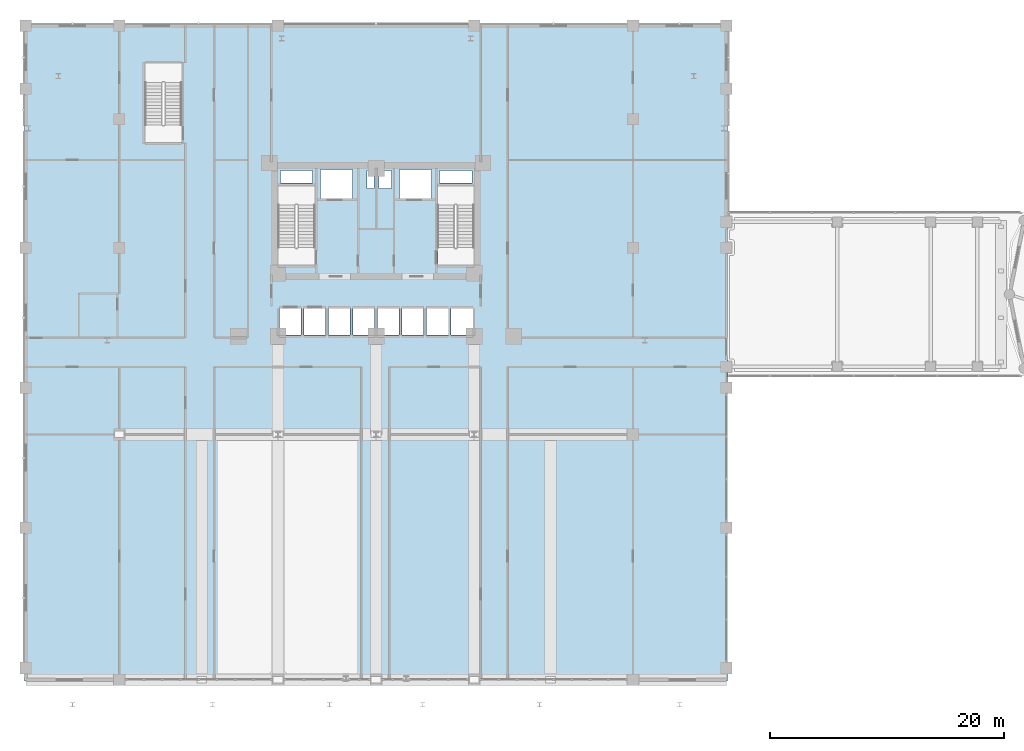
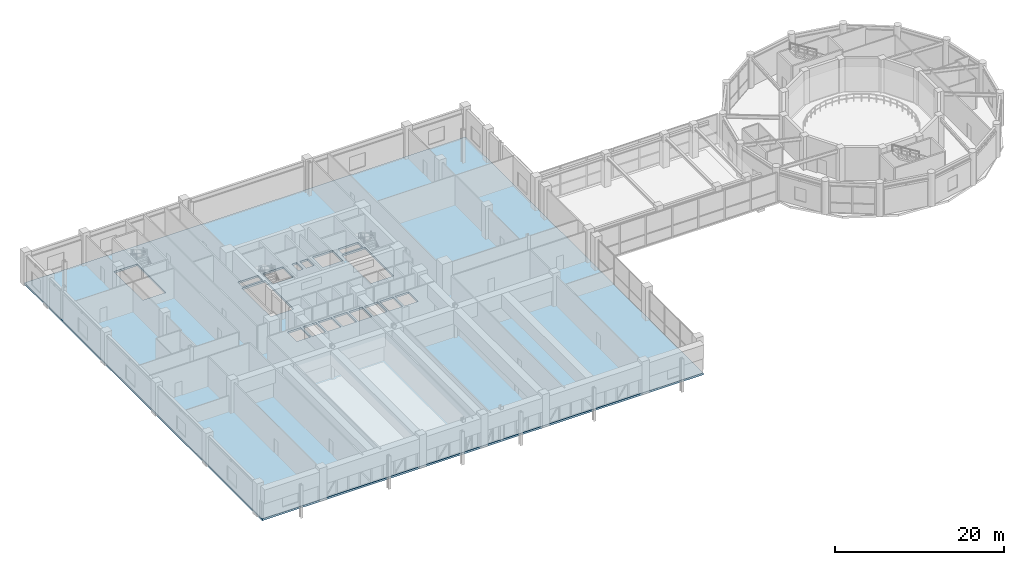
# One storey, part 27 of 44: 1 slab.
"""IFC4 building model written with IfcOpenShell, lengths in metres."""

from ifc_helpers import new_model, si_unit, derived_unit, direction, frame, origin, place, context, subcontext, project, spatial, polyline, outline, extrude, material, layer, layer_set, type_object, element, save


model = new_model("IFC4")

# Units and contexts
model_context = context("Model", 3, precision=1e-05, world=origin(), true_north=direction((0.0, 1.0)))
body_context = subcontext(model_context, "Body", "Model", "MODEL_VIEW")
ifc_project = project(units=[si_unit("LENGTHUNIT", "METRE"), si_unit("AREAUNIT", "SQUARE_METRE"), si_unit("VOLUMEUNIT", "CUBIC_METRE"), si_unit("PLANEANGLEUNIT", "RADIAN"), si_unit("MASSUNIT", "GRAM", prefix="KILO"), derived_unit("THERMALTRANSMITTANCEUNIT", [(si_unit("POWERUNIT", "WATT"), 1), (si_unit("LENGTHUNIT", "METRE"), -2), (si_unit("THERMODYNAMICTEMPERATUREUNIT", "KELVIN"), -1)])], contexts=[model_context])

# Site, building, storey
site_placement = place(None, origin())
site = spatial("IfcSite", under=ifc_project, at=site_placement, CompositionType="ELEMENT")
building_placement = place(site_placement, origin())
building = spatial("IfcBuilding", under=site, at=building_placement, Name="Korsvarv Bourse and Concert Hall", CompositionType="ELEMENT")
storey_placement = place(building_placement, frame((0.0, 0.0, 9.60009765625)))
storey = spatial("IfcBuildingStorey", under=building, at=storey_placement, Name="L02", CompositionType="ELEMENT", Elevation=9.60009765625)

# Slab
ifc_material = material(Name="Concrete C45/55", Category="concrete")
ifc_layer = layer(ifc_material, 0.280029296875)
ifc_layer_set = layer_set([ifc_layer], Name="Concrete C45/55")
slab_type = type_object("IfcSlabType", Name="SLB-PD1", PredefinedType="FLOOR", material=ifc_layer_set)
slab_placement = place(storey_placement, frame((0.0, 0.0, -0.280029296875)))
element("IfcSlab", 1, at=slab_placement, inside=storey, type_object=slab_type, Name="L02 exchange podium floor slab", PredefinedType="FLOOR", context=body_context, shape_type="SweptSolid", body=[
    extrude(outline(polyline([(66.10009765625, 2.89990234375), (66.10009765625, 59.10009765625), (5.89990234375, 59.10009765625), (5.89990234375, 2.89990234375), (66.10009765625, 2.89990234375)]), holes=[polyline([(30.760009765625, 38.5), (30.760009765625, 45.300048828125), (27.60009765625, 45.300048828125), (27.60009765625, 38.5), (30.760009765625, 38.5)]), polyline([(44.39990234375, 38.5), (44.39990234375, 45.300048828125), (41.239990234375, 45.300048828125), (41.239990234375, 38.5), (44.39990234375, 38.5)]), polyline([(19.360107421875, 49.0), (19.360107421875, 55.800048828125), (16.199951171875, 55.800048828125), (16.199951171875, 49.0), (19.360107421875, 49.0)]), polyline([(31.239990234375, 44.219970703125), (34.0, 44.219970703125), (34.0, 46.679931640625), (31.239990234375, 46.679931640625), (31.239990234375, 44.219970703125)]), polyline([(38.0, 44.219970703125), (40.760009765625, 44.219970703125), (40.760009765625, 46.679931640625), (38.0, 46.679931640625), (38.0, 44.219970703125)]), polyline([(27.719970703125, 32.52001953125), (29.580078125, 32.52001953125), (29.580078125, 34.780029296875), (27.719970703125, 34.780029296875), (27.719970703125, 32.52001953125)]), polyline([(29.820068359375, 32.52001953125), (31.679931640625, 32.52001953125), (31.679931640625, 34.780029296875), (29.820068359375, 34.780029296875), (29.820068359375, 32.52001953125)]), polyline([(31.919921875, 32.52001953125), (33.780029296875, 32.52001953125), (33.780029296875, 34.780029296875), (31.919921875, 34.780029296875), (31.919921875, 32.52001953125)]), polyline([(34.02001953125, 32.52001953125), (35.8798828125, 32.52001953125), (35.8798828125, 34.780029296875), (34.02001953125, 34.780029296875), (34.02001953125, 32.52001953125)]), polyline([(36.1201171875, 32.52001953125), (37.97998046875, 32.52001953125), (37.97998046875, 34.780029296875), (36.1201171875, 34.780029296875), (36.1201171875, 32.52001953125)]), polyline([(38.219970703125, 32.52001953125), (40.080078125, 32.52001953125), (40.080078125, 34.780029296875), (38.219970703125, 34.780029296875), (38.219970703125, 32.52001953125)]), polyline([(40.320068359375, 32.52001953125), (42.179931640625, 32.52001953125), (42.179931640625, 34.780029296875), (40.320068359375, 34.780029296875), (40.320068359375, 32.52001953125)]), polyline([(42.419921875, 32.52001953125), (44.280029296875, 32.52001953125), (44.280029296875, 34.780029296875), (42.419921875, 34.780029296875), (42.419921875, 32.52001953125)]), polyline([(27.800048828125, 45.56005859375), (30.56005859375, 45.56005859375), (30.56005859375, 46.6201171875), (27.800048828125, 46.6201171875), (27.800048828125, 45.56005859375)]), polyline([(41.43994140625, 45.56005859375), (44.199951171875, 45.56005859375), (44.199951171875, 46.6201171875), (41.43994140625, 46.6201171875), (41.43994140625, 45.56005859375)]), polyline([(35.199951171875, 45.080078125), (35.840087890625, 45.080078125), (35.840087890625, 46.6201171875), (35.199951171875, 46.6201171875), (35.199951171875, 45.080078125)]), polyline([(36.239990234375, 45.080078125), (37.320068359375, 45.080078125), (37.320068359375, 46.6201171875), (36.239990234375, 46.6201171875), (36.239990234375, 45.080078125)])]), origin(), (0.0, 0.0, 1.0), 0.280029296875),
])

save(model, "model.ifc")
